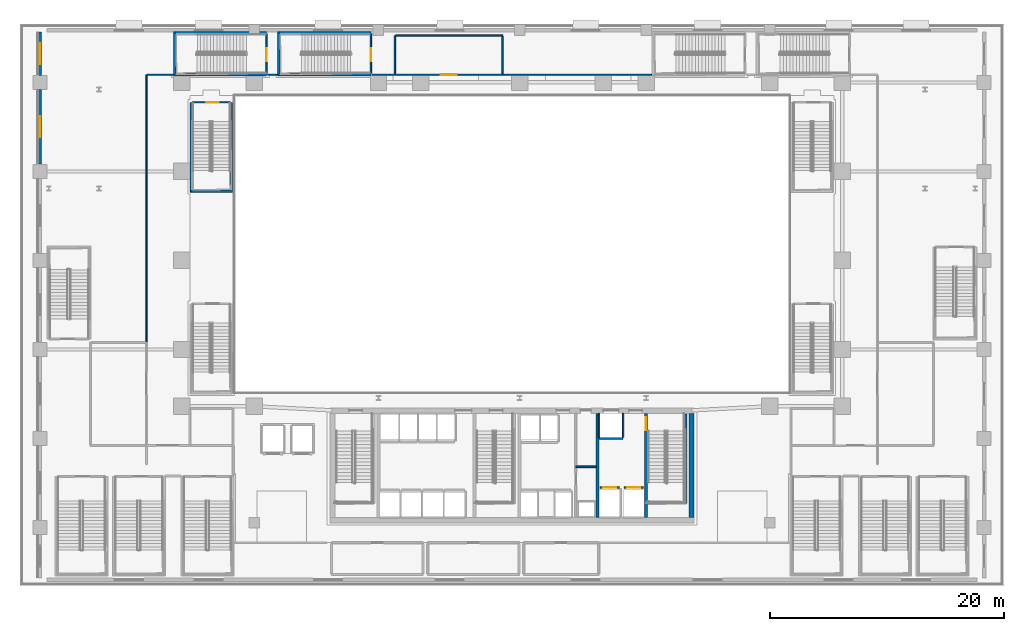
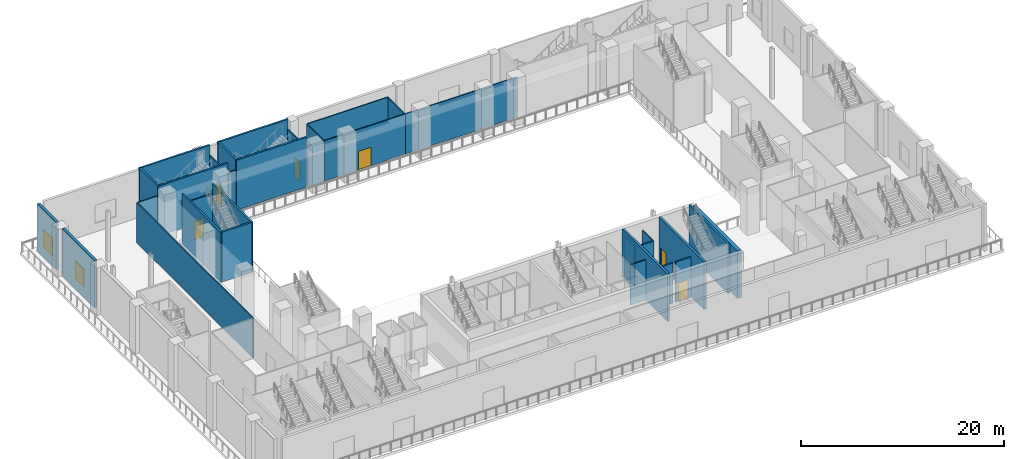
# One storey, part 10 of 29: 33 walls, 7 doors, 2 windows, 9 openings.
"""IFC4 building model written with IfcOpenShell, lengths in metres."""

from ifc_helpers import new_model, si_unit, direction, frame, frame_2d, origin, place, context, subcontext, project, spatial, rectangle, extrude, material, layer, layer_set, type_object, element, fill, save


model = new_model("IFC4")

# Units and contexts
model_context = context("Model", 3, precision=1e-05, world=origin(), true_north=direction((0.0, 1.0)))
body_context = subcontext(model_context, "Body", "Model", "MODEL_VIEW")
ifc_project = project(units=[si_unit("LENGTHUNIT", "METRE"), si_unit("AREAUNIT", "SQUARE_METRE"), si_unit("VOLUMEUNIT", "CUBIC_METRE"), si_unit("PLANEANGLEUNIT", "RADIAN"), si_unit("MASSUNIT", "GRAM", prefix="KILO")], contexts=[model_context])

# Site, building, storey
site_placement = place(None, origin())
site = spatial("IfcSite", under=ifc_project, at=site_placement, CompositionType="ELEMENT")
building_placement = place(site_placement, origin())
building = spatial("IfcBuilding", under=site, at=building_placement, Name="Ndaravel Arena Tower", CompositionType="ELEMENT")
storey_placement = place(building_placement, frame((0.0, 0.0, 12.0)))
storey = spatial("IfcBuildingStorey", under=building, at=storey_placement, Name="L02", CompositionType="ELEMENT", Elevation=12.0)

# Walls
ifc_material_1 = material(Name="Gypsum", Category="gypsum")
ifc_layer_1 = layer(ifc_material_1, 0.14990234375)
ifc_layer_set_1 = layer_set([ifc_layer_1], Name="Gypsum")
wall_type_1 = type_object("IfcWallType", Name="WALL-COMP-150", PredefinedType="PARTITIONING", material=ifc_layer_set_1)
wall_1_placement = place(storey_placement, frame((47.449951171875, 10.179931640625, 0.0), z_axis=(0.0, 0.0, 1.0), x_axis=(1.0, 0.0, 0.0)))
element("IfcWall", 1, at=wall_1_placement, inside=storey, type_object=wall_type_1, Name="L02 Core Riser Divider 1", PredefinedType="PARTITIONING", context=body_context, shape_type="SweptSolid", body=[
    extrude(rectangle(XDim=1.72998046875, YDim=0.14990234375, at=frame_2d((0.864990234375, 0.0))), origin(), (0.0, 0.0, 1.0), 4.819091796875),
])
ifc_material_2 = material(Name="Concrete C60/75", Category="concrete")
ifc_layer_2 = layer(ifc_material_2, 0.25)
ifc_layer_set_2 = layer_set([ifc_layer_2], Name="Concrete C60/75")
wall_type_2 = type_object("IfcWallType", Name="WALL-CORE-250", PredefinedType="SOLIDWALL", material=ifc_layer_set_2)
wall_2_placement = place(storey_placement, frame((49.300048828125, 5.85009765625, 0.0), z_axis=(0.0, 0.0, 1.0), x_axis=(0.0, 1.0, 0.0)))
element("IfcWall", 2, at=wall_2_placement, inside=storey, type_object=wall_type_2, Name="L02 Core Web Shear Wall 4", PredefinedType="SOLIDWALL", context=body_context, shape_type="SweptSolid", body=[
    extrude(rectangle(XDim=8.89990234375, YDim=0.25, at=frame_2d((4.449951171875, 0.0))), origin(), (0.0, 0.0, 1.0), 5.699951171875),
])

# Wall, opening, door
wall_3_placement = place(storey_placement, frame((53.449951171875, 5.85009765625, 0.0), z_axis=(0.0, 0.0, 1.0), x_axis=(0.0, 1.0, 0.0)))
wall_3 = element("IfcWall", 3, at=wall_3_placement, inside=storey, type_object=wall_type_2, Name="L02 Core Web Shear Wall 5", PredefinedType="SOLIDWALL", context=body_context, shape_type="SweptSolid", body=[
    extrude(rectangle(XDim=8.89990234375, YDim=0.25, at=frame_2d((4.449951171875, 0.0))), origin(), (0.0, 0.0, 1.0), 5.699951171875),
])
opening_1_placement = place(wall_3_placement, frame((7.449951171875, 0.0, 0.0)))
opening_1 = element("IfcOpeningElement", 4, at=opening_1_placement, cuts=wall_3, Name="Opening FD-01", PredefinedType="OPENING", context=body_context, shape_type="SweptSolid", body=[
    extrude(rectangle(XDim=1.10009765625, YDim=2.199951171875, at=frame_2d((0.550048828125, 1.10009765625))), frame((0.0, 0.125, 0.0), z_axis=(0.0, -1.0, 0.0), x_axis=(1.0, 0.0, 0.0)), (0.0, 0.0, 1.0), 0.25),
])
ifc_material_3 = material(Name="Steel S355", Category="steel")
door_type_1 = type_object("IfcDoorType", Name="DT-01-STAIR-1100", OperationType="SINGLE_SWING_LEFT", PredefinedType="DOOR", material=ifc_material_3)
door_1_placement = place(opening_1_placement, origin())
door_1 = element("IfcDoor", 5, at=door_1_placement, inside=storey, type_object=door_type_1, Name="L02 Firefighting Lobby to ST-3 Door", OperationType="SINGLE_SWING_LEFT", OverallHeight=2.199951171875, OverallWidth=1.10009765625, PredefinedType="DOOR", context=body_context, shape_type="SweptSolid", body=[
    extrude(rectangle(XDim=1.10009765625, YDim=2.199951171875, at=frame_2d((0.550048828125, 1.10009765625))), frame((0.0, 0.02490234375, 0.0), z_axis=(0.0, -1.0, 0.0), x_axis=(1.0, 0.0, 0.0)), (0.0, 0.0, 1.0), 0.050048828125),
])
fill(opening_1, door_1)

# Walls
ifc_material_4 = material(Name="Concrete C60/75", Category="concrete")
ifc_layer_3 = layer(ifc_material_4, 0.449951171875)
ifc_layer_set_3 = layer_set([ifc_layer_3], Name="Concrete C60/75")
wall_type_3 = type_object("IfcWallType", Name="WALL-CORE-450", PredefinedType="SOLIDWALL", material=ifc_layer_set_3)
wall_4_placement = place(storey_placement, frame((57.324951171875, 5.85009765625, 0.0), z_axis=(0.0, 0.0, 1.0), x_axis=(0.0, 1.0, 0.0)))
element("IfcWall", 6, at=wall_4_placement, inside=storey, type_object=wall_type_3, Name="L02 Core East Shear Wall", PredefinedType="SOLIDWALL", context=body_context, shape_type="SweptSolid", body=[
    extrude(rectangle(XDim=8.89990234375, YDim=0.449951171875, at=frame_2d((4.449951171875, 0.0))), origin(), (0.0, 0.0, 1.0), 5.699951171875),
])
ifc_material_5 = material(Name="Gypsum", Category="gypsum")
ifc_layer_4 = layer(ifc_material_5, 0.125)
ifc_layer_set_4 = layer_set([ifc_layer_4], Name="Gypsum")
wall_type_4 = type_object("IfcWallType", Name="WALL-PART-125", PredefinedType="PARTITIONING", material=ifc_layer_set_4)
wall_5_placement = place(storey_placement, frame((10.800048828125, 20.800048828125, 0.0), z_axis=(0.0, 0.0, 1.0), x_axis=(0.0, 1.0, 0.0)))
element("IfcWall", 7, at=wall_5_placement, inside=storey, type_object=wall_type_4, Name="L02 Interior Partition 014", PredefinedType="PARTITIONING", context=body_context, shape_type="SweptSolid", body=[
    extrude(rectangle(XDim=22.849853515625, YDim=0.125, at=frame_2d((11.4248046875, 0.0))), origin(), (0.0, 0.0, 1.0), 4.819091796875),
])
wall_6_placement = place(storey_placement, frame((10.864990234375, 43.64990234375, 0.0), z_axis=(0.0, 0.0, 1.0), x_axis=(1.0, 0.0, 0.0)))
element("IfcWall", 8, at=wall_6_placement, inside=storey, type_object=wall_type_4, Name="L02 Interior Partition 015", PredefinedType="PARTITIONING", context=body_context, shape_type="SweptSolid", body=[
    extrude(rectangle(XDim=2.215087890625, YDim=0.125, at=frame_2d((1.107421875, 0.0))), origin(), (0.0, 0.0, 1.0), 4.819091796875),
])
wall_7_placement = place(storey_placement, frame((21.169921875, 43.64990234375, 0.0), z_axis=(0.0, 0.0, 1.0), x_axis=(1.0, 0.0, 0.0)))
element("IfcWall", 9, at=wall_7_placement, inside=storey, type_object=wall_type_4, Name="L02 Interior Partition 016", PredefinedType="PARTITIONING", context=body_context, shape_type="SweptSolid", body=[
    extrude(rectangle(XDim=0.81005859375, YDim=0.125, at=frame_2d((0.405029296875, 0.0))), origin(), (0.0, 0.0, 1.0), 4.819091796875),
])
wall_8_placement = place(storey_placement, frame((30.070068359375, 43.64990234375, 0.0), z_axis=(0.0, 0.0, 1.0), x_axis=(1.0, 0.0, 0.0)))
element("IfcWall", 10, at=wall_8_placement, inside=storey, type_object=wall_type_4, Name="L02 Interior Partition 017", PredefinedType="PARTITIONING", context=body_context, shape_type="SweptSolid", body=[
    extrude(rectangle(XDim=1.929931640625, YDim=0.125, at=frame_2d((0.96484375, 0.0))), origin(), (0.0, 0.0, 1.0), 4.819091796875),
])

# Wall, opening, door
wall_9_placement = place(storey_placement, frame((32.0, 43.64990234375, 0.0), z_axis=(0.0, 0.0, 1.0), x_axis=(1.0, 0.0, 0.0)))
wall_9 = element("IfcWall", 11, at=wall_9_placement, inside=storey, type_object=wall_type_4, Name="L02 Interior Partition 018", PredefinedType="PARTITIONING", context=body_context, shape_type="SweptSolid", body=[
    extrude(rectangle(XDim=9.199951171875, YDim=0.125, at=frame_2d((4.60009765625, 0.0))), origin(), (0.0, 0.0, 1.0), 4.819091796875),
])
opening_2_placement = place(wall_9_placement, frame((3.89990234375, 0.0, 0.0)))
opening_2 = element("IfcOpeningElement", 12, at=opening_2_placement, cuts=wall_9, Name="Opening ID-02", PredefinedType="OPENING", context=body_context, shape_type="SweptSolid", body=[
    extrude(rectangle(XDim=1.39990234375, YDim=2.199951171875, at=frame_2d((0.699951171875, 1.10009765625))), frame((0.0, 0.0625, 0.0), z_axis=(0.0, -1.0, 0.0), x_axis=(1.0, 0.0, 0.0)), (0.0, 0.0, 1.0), 0.125),
])
ifc_material_6 = material(Name="Timber", Category="wood")
door_type_2 = type_object("IfcDoorType", Name="DT-04-SUITE-1400", OperationType="DOUBLE_DOOR_SINGLE_SWING", PredefinedType="DOOR", material=ifc_material_6)
door_2_placement = place(opening_2_placement, origin())
door_2 = element("IfcDoor", 13, at=door_2_placement, inside=storey, type_object=door_type_2, Name="L02 Ndaravel Presidential Club Lounge & Dining Door", OperationType="SINGLE_SWING_LEFT", OverallHeight=2.199951171875, OverallWidth=1.39990234375, PredefinedType="DOOR", context=body_context, shape_type="SweptSolid", body=[
    extrude(rectangle(XDim=1.39990234375, YDim=2.199951171875, at=frame_2d((0.699951171875, 1.10009765625))), frame((0.0, 0.02490234375, 0.0), z_axis=(0.0, -1.0, 0.0), x_axis=(1.0, 0.0, 0.0)), (0.0, 0.0, 1.0), 0.050048828125),
])
fill(opening_2, door_2)

# Walls
wall_10_placement = place(storey_placement, frame((41.199951171875, 43.64990234375, 0.0), z_axis=(0.0, 0.0, 1.0), x_axis=(1.0, 0.0, 0.0)))
element("IfcWall", 14, at=wall_10_placement, inside=storey, type_object=wall_type_4, Name="L02 Interior Partition 019", PredefinedType="PARTITIONING", context=body_context, shape_type="SweptSolid", body=[
    extrude(rectangle(XDim=12.72998046875, YDim=0.125, at=frame_2d((6.364990234375, 0.0))), origin(), (0.0, 0.0, 1.0), 4.819091796875),
])
wall_11_placement = place(storey_placement, frame((32.0, 43.715087890625, 0.0), z_axis=(0.0, 0.0, 1.0), x_axis=(0.0, 1.0, 0.0)))
element("IfcWall", 15, at=wall_11_placement, inside=storey, type_object=wall_type_4, Name="L02 Interior Partition 030", PredefinedType="PARTITIONING", context=body_context, shape_type="SweptSolid", body=[
    extrude(rectangle(XDim=3.284912109375, YDim=0.125, at=frame_2d((1.642578125, 0.0))), origin(), (0.0, 0.0, 1.0), 4.819091796875),
])
wall_12_placement = place(storey_placement, frame((32.06494140625, 47.0, 0.0), z_axis=(0.0, 0.0, 1.0), x_axis=(1.0, 0.0, 0.0)))
element("IfcWall", 16, at=wall_12_placement, inside=storey, type_object=wall_type_4, Name="L02 Interior Partition 031", PredefinedType="PARTITIONING", context=body_context, shape_type="SweptSolid", body=[
    extrude(rectangle(XDim=9.135009765625, YDim=0.125, at=frame_2d((4.5673828125, 0.0))), origin(), (0.0, 0.0, 1.0), 4.819091796875),
])
wall_13_placement = place(storey_placement, frame((41.199951171875, 46.93505859375, 0.0), z_axis=(0.0, 0.0, 1.0), x_axis=(0.0, -1.0, 0.0)))
element("IfcWall", 17, at=wall_13_placement, inside=storey, type_object=wall_type_4, Name="L02 Interior Partition 032", PredefinedType="PARTITIONING", context=body_context, shape_type="SweptSolid", body=[
    extrude(rectangle(XDim=3.219970703125, YDim=0.125, at=frame_2d((1.60986328125, 0.0))), origin(), (0.0, 0.0, 1.0), 4.819091796875),
])

# Wall, opening, window
ifc_material_7 = material(Name="Masonry", Category="masonry")
ifc_layer_5 = layer(ifc_material_7, 0.300048828125)
ifc_layer_set_5 = layer_set([ifc_layer_5], Name="Masonry")
wall_type_5 = type_object("IfcWallType", Name="WALL-POD-MAZERAS-300", PredefinedType="SOLIDWALL", material=ifc_layer_set_5)
wall_14_placement = place(storey_placement, frame((1.699951171875, 36.02001953125, 0.0), z_axis=(0.0, 0.0, 1.0), x_axis=(0.0, 1.0, 0.0)))
wall_14 = element("IfcWall", 18, at=wall_14_placement, inside=storey, type_object=wall_type_5, Name="L02 West Mazeras Bay 6", PredefinedType="SOLIDWALL", context=body_context, shape_type="SweptSolid", body=[
    extrude(rectangle(XDim=6.35986328125, YDim=0.300048828125, at=frame_2d((3.179931640625, 0.0))), origin(), (0.0, 0.0, 1.0), 5.699951171875),
])
opening_3_placement = place(wall_14_placement, frame((2.280029296875, 0.0, 1.0)))
opening_3 = element("IfcOpeningElement", 19, at=opening_3_placement, cuts=wall_14, Name="Opening W-PD2", PredefinedType="OPENING", context=body_context, shape_type="SweptSolid", body=[
    extrude(rectangle(XDim=1.800048828125, YDim=2.199951171875, at=frame_2d((0.89990234375, 1.10009765625))), frame((0.0, 0.14990234375, 0.0), z_axis=(0.0, -1.0, 0.0), x_axis=(1.0, 0.0, 0.0)), (0.0, 0.0, 1.0), 0.300048828125),
])
ifc_material_8 = material(Name="Glazing", Category="glass")
window_type = type_object("IfcWindowType", Name="WIN-POD-1800", PartitioningType="SINGLE_PANEL", PredefinedType="WINDOW", material=ifc_material_8)
window_1_placement = place(opening_3_placement, origin())
window_1 = element("IfcWindow", 20, at=window_1_placement, inside=storey, type_object=window_type, Name="L02 West Mazeras Window 6", OverallHeight=2.199951171875, OverallWidth=1.800048828125, PartitioningType="SINGLE_PANEL", PredefinedType="WINDOW", context=body_context, shape_type="SweptSolid", body=[
    extrude(rectangle(XDim=1.800048828125, YDim=2.199951171875, at=frame_2d((0.89990234375, 1.10009765625))), frame((0.0, 0.030029296875, 0.0), z_axis=(0.0, -1.0, 0.0), x_axis=(1.0, 0.0, 0.0)), (0.0, 0.0, 1.0), 0.06005859375),
])
fill(opening_3, window_1)

wall_15_placement = place(storey_placement, frame((1.699951171875, 43.60009765625, 0.0), z_axis=(0.0, 0.0, 1.0), x_axis=(0.0, 1.0, 0.0)))
wall_15 = element("IfcWall", 21, at=wall_15_placement, inside=storey, type_object=wall_type_5, Name="L02 West Mazeras Bay 7", PredefinedType="SOLIDWALL", context=body_context, shape_type="SweptSolid", body=[
    extrude(rectangle(XDim=3.699951171875, YDim=0.300048828125, at=frame_2d((1.85009765625, 0.0))), origin(), (0.0, 0.0, 1.0), 5.699951171875),
])
opening_4_placement = place(wall_15_placement, frame((0.949951171875, 0.0, 1.0)))
opening_4 = element("IfcOpeningElement", 22, at=opening_4_placement, cuts=wall_15, Name="Opening W-PD2", PredefinedType="OPENING", context=body_context, shape_type="SweptSolid", body=[
    extrude(rectangle(XDim=1.800048828125, YDim=2.199951171875, at=frame_2d((0.89990234375, 1.10009765625))), frame((0.0, 0.14990234375, 0.0), z_axis=(0.0, -1.0, 0.0), x_axis=(1.0, 0.0, 0.0)), (0.0, 0.0, 1.0), 0.300048828125),
])
window_2_placement = place(opening_4_placement, origin())
window_2 = element("IfcWindow", 23, at=window_2_placement, inside=storey, type_object=window_type, Name="L02 West Mazeras Window 7", OverallHeight=2.199951171875, OverallWidth=1.800048828125, PartitioningType="SINGLE_PANEL", PredefinedType="WINDOW", context=body_context, shape_type="SweptSolid", body=[
    extrude(rectangle(XDim=1.800048828125, YDim=2.199951171875, at=frame_2d((0.89990234375, 1.10009765625))), frame((0.0, 0.030029296875, 0.0), z_axis=(0.0, -1.0, 0.0), x_axis=(1.0, 0.0, 0.0)), (0.0, 0.0, 1.0), 0.06005859375),
])
fill(opening_4, window_2)

# Wall, opening, door
ifc_material_9 = material(Name="Concrete C40/50", Category="concrete")
ifc_layer_6 = layer(ifc_material_9, 0.1201171875)
ifc_layer_set_6 = layer_set([ifc_layer_6], Name="Concrete C40/50")
wall_type_6 = type_object("IfcWallType", Name="WALL-SHAFT-120", PredefinedType="SOLIDWALL", material=ifc_layer_set_6)
wall_16_placement = place(storey_placement, frame((21.050048828125, 47.135009765625, 0.0), z_axis=(0.0, 0.0, 1.0), x_axis=(0.0, -1.0, 0.0)))
wall_16 = element("IfcWall", 24, at=wall_16_placement, inside=storey, type_object=wall_type_6, Name="L02 ST-A08 Entry Wall", PredefinedType="SOLIDWALL", context=body_context, shape_type="SweptSolid", body=[
    extrude(rectangle(XDim=3.3701171875, YDim=0.1201171875, at=frame_2d((1.68505859375, 0.0))), origin(), (0.0, 0.0, 1.0), 4.819091796875),
])
opening_5_placement = place(wall_16_placement, frame((1.239990234375, 0.0, 0.0)))
opening_5 = element("IfcOpeningElement", 25, at=opening_5_placement, cuts=wall_16, Name="Opening FD-01", PredefinedType="OPENING", context=body_context, shape_type="SweptSolid", body=[
    extrude(rectangle(XDim=1.10009765625, YDim=2.199951171875, at=frame_2d((0.550048828125, 1.10009765625))), frame((0.0, 0.06005859375, 0.0), z_axis=(0.0, -1.0, 0.0), x_axis=(1.0, 0.0, 0.0)), (0.0, 0.0, 1.0), 0.1201171875),
])
door_3_placement = place(opening_5_placement, origin())
door_3 = element("IfcDoor", 26, at=door_3_placement, inside=storey, type_object=door_type_1, Name="L02 ST-A08 Fire Exit Stair Door", OperationType="SINGLE_SWING_LEFT", OverallHeight=2.199951171875, OverallWidth=1.10009765625, PredefinedType="DOOR", context=body_context, shape_type="SweptSolid", body=[
    extrude(rectangle(XDim=1.10009765625, YDim=2.199951171875, at=frame_2d((0.550048828125, 1.10009765625))), frame((0.0, 0.02490234375, 0.0), z_axis=(0.0, -1.0, 0.0), x_axis=(1.0, 0.0, 0.0)), (0.0, 0.0, 1.0), 0.050048828125),
])
fill(opening_5, door_3)

wall_17_placement = place(storey_placement, frame((29.949951171875, 47.135009765625, 0.0), z_axis=(0.0, 0.0, 1.0), x_axis=(0.0, -1.0, 0.0)))
wall_17 = element("IfcWall", 27, at=wall_17_placement, inside=storey, type_object=wall_type_6, Name="L02 ST-A09 Entry Wall", PredefinedType="SOLIDWALL", context=body_context, shape_type="SweptSolid", body=[
    extrude(rectangle(XDim=3.3701171875, YDim=0.1201171875, at=frame_2d((1.68505859375, 0.0))), origin(), (0.0, 0.0, 1.0), 4.819091796875),
])
opening_6_placement = place(wall_17_placement, frame((1.239990234375, 0.0, 0.0)))
opening_6 = element("IfcOpeningElement", 28, at=opening_6_placement, cuts=wall_17, Name="Opening FD-01", PredefinedType="OPENING", context=body_context, shape_type="SweptSolid", body=[
    extrude(rectangle(XDim=1.10009765625, YDim=2.199951171875, at=frame_2d((0.550048828125, 1.10009765625))), frame((0.0, 0.06005859375, 0.0), z_axis=(0.0, -1.0, 0.0), x_axis=(1.0, 0.0, 0.0)), (0.0, 0.0, 1.0), 0.1201171875),
])
door_4_placement = place(opening_6_placement, origin())
door_4 = element("IfcDoor", 29, at=door_4_placement, inside=storey, type_object=door_type_1, Name="L02 ST-A09 Fire Exit Stair Door", OperationType="SINGLE_SWING_LEFT", OverallHeight=2.199951171875, OverallWidth=1.10009765625, PredefinedType="DOOR", context=body_context, shape_type="SweptSolid", body=[
    extrude(rectangle(XDim=1.10009765625, YDim=2.199951171875, at=frame_2d((0.550048828125, 1.10009765625))), frame((0.0, 0.02490234375, 0.0), z_axis=(0.0, -1.0, 0.0), x_axis=(1.0, 0.0, 0.0)), (0.0, 0.0, 1.0), 0.050048828125),
])
fill(opening_6, door_4)

wall_18_placement = place(storey_placement, frame((14.705078125, 41.300048828125, 0.0), z_axis=(0.0, 0.0, 1.0), x_axis=(1.0, 0.0, 0.0)))
wall_18 = element("IfcWall", 30, at=wall_18_placement, inside=storey, type_object=wall_type_6, Name="L02 ST-VOM-2 Entry Wall", PredefinedType="SOLIDWALL", context=body_context, shape_type="SweptSolid", body=[
    extrude(rectangle(XDim=3.25, YDim=0.1201171875, at=frame_2d((1.625, 0.0))), origin(), (0.0, 0.0, 1.0), 4.819091796875),
])
opening_7_placement = place(wall_18_placement, frame((1.179931640625, 0.0, 0.0)))
opening_7 = element("IfcOpeningElement", 31, at=opening_7_placement, cuts=wall_18, Name="Opening FD-01", PredefinedType="OPENING", context=body_context, shape_type="SweptSolid", body=[
    extrude(rectangle(XDim=1.10009765625, YDim=2.199951171875, at=frame_2d((0.550048828125, 1.10009765625))), frame((0.0, 0.06005859375, 0.0), z_axis=(0.0, -1.0, 0.0), x_axis=(1.0, 0.0, 0.0)), (0.0, 0.0, 1.0), 0.1201171875),
])
door_5_placement = place(opening_7_placement, origin())
door_5 = element("IfcDoor", 32, at=door_5_placement, inside=storey, type_object=door_type_1, Name="L02 ST-VOM-2 Fire Exit Stair Door", OperationType="SINGLE_SWING_LEFT", OverallHeight=2.199951171875, OverallWidth=1.10009765625, PredefinedType="DOOR", context=body_context, shape_type="SweptSolid", body=[
    extrude(rectangle(XDim=1.10009765625, YDim=2.199951171875, at=frame_2d((0.550048828125, 1.10009765625))), frame((0.0, 0.02490234375, 0.0), z_axis=(0.0, -1.0, 0.0), x_axis=(1.0, 0.0, 0.0)), (0.0, 0.0, 1.0), 0.050048828125),
])
fill(opening_7, door_5)

# Walls
for number, where, z_axis, x_axis, name in (
    (33, (49.43994140625, 12.68994140625, 0.0), (0.0, 0.0, 1.0), (0.0, 1.0, 0.0), "L02 SVL-1 Shaft W Wall"),
    (34, (51.47998046875, 12.68994140625, 0.0), (0.0, 0.0, 1.0), (0.0, 1.0, 0.0), "L02 SVL-1 Shaft E Wall"),
):
    element("IfcWall", number, at=place(storey_placement, frame(where, z_axis=z_axis, x_axis=x_axis)), inside=storey, type_object=wall_type_6, Name=name, PredefinedType="SOLIDWALL", context=body_context, shape_type="SweptSolid", body=[
        extrude(rectangle(XDim=2.070068359375, YDim=0.1201171875, at=frame_2d((1.03515625, 0.0))), origin(), (0.0, 0.0, 1.0), 4.819091796875),
    ])
ifc_material_10 = material(Name="Concrete C40/50", Category="concrete")
ifc_layer_7 = layer(ifc_material_10, 0.199951171875)
ifc_layer_set_7 = layer_set([ifc_layer_7], Name="Concrete C40/50")
wall_type_7 = type_object("IfcWallType", Name="WALL-SHAFT-200", PredefinedType="SOLIDWALL", material=ifc_layer_set_7)
wall_19_placement = place(storey_placement, frame((56.840087890625, 14.699951171875, 0.0), z_axis=(0.0, 0.0, 1.0), x_axis=(0.0, -1.0, 0.0)))
element("IfcWall", 35, at=wall_19_placement, inside=storey, type_object=wall_type_7, Name="L02 ST-3 Structural Shaft Wall Right", PredefinedType="SOLIDWALL", context=body_context, shape_type="SweptSolid", body=[
    extrude(rectangle(XDim=7.64990234375, YDim=0.199951171875, at=frame_2d((3.824951171875, 0.0))), origin(), (0.0, 0.0, 1.0), 6.0),
])
for number, where, z_axis, x_axis, name in (
    (36, (21.050048828125, 47.239990234375, 0.0), (0.0, 0.0, 1.0), (-1.0, 0.0, 0.0), "L02 ST-A08 Shaft Wall Left"),
    (37, (21.050048828125, 43.659912109375, 0.0), (0.0, 0.0, 1.0), (-1.0, 0.0, 0.0), "L02 ST-A08 Shaft Wall Right"),
):
    element("IfcWall", number, at=place(storey_placement, frame(where, z_axis=z_axis, x_axis=x_axis)), inside=storey, type_object=wall_type_7, Name=name, PredefinedType="SOLIDWALL", context=body_context, shape_type="SweptSolid", body=[
        extrude(rectangle(XDim=7.949951171875, YDim=0.199951171875, at=frame_2d((3.97509765625, 0.0))), origin(), (0.0, 0.0, 1.0), 6.0),
    ])
wall_20_placement = place(storey_placement, frame((13.199951171875, 47.22998046875, 0.0), z_axis=(0.0, 0.0, 1.0), x_axis=(0.0, -1.0, 0.0)))
element("IfcWall", 38, at=wall_20_placement, inside=storey, type_object=wall_type_7, Name="L02 ST-A08 Shaft Wall Far", PredefinedType="SOLIDWALL", context=body_context, shape_type="SweptSolid", body=[
    extrude(rectangle(XDim=3.56005859375, YDim=0.199951171875, at=frame_2d((1.780029296875, 0.0))), origin(), (0.0, 0.0, 1.0), 6.0),
])
for number, where, z_axis, x_axis, name in (
    (39, (29.949951171875, 47.239990234375, 0.0), (0.0, 0.0, 1.0), (-1.0, 0.0, 0.0), "L02 ST-A09 Shaft Wall Left"),
    (40, (29.949951171875, 43.659912109375, 0.0), (0.0, 0.0, 1.0), (-1.0, 0.0, 0.0), "L02 ST-A09 Shaft Wall Right"),
):
    element("IfcWall", number, at=place(storey_placement, frame(where, z_axis=z_axis, x_axis=x_axis)), inside=storey, type_object=wall_type_7, Name=name, PredefinedType="SOLIDWALL", context=body_context, shape_type="SweptSolid", body=[
        extrude(rectangle(XDim=7.949951171875, YDim=0.199951171875, at=frame_2d((3.97509765625, 0.0))), origin(), (0.0, 0.0, 1.0), 6.0),
    ])
wall_21_placement = place(storey_placement, frame((22.10009765625, 47.22998046875, 0.0), z_axis=(0.0, 0.0, 1.0), x_axis=(0.0, -1.0, 0.0)))
element("IfcWall", 41, at=wall_21_placement, inside=storey, type_object=wall_type_7, Name="L02 ST-A09 Shaft Wall Far", PredefinedType="SOLIDWALL", context=body_context, shape_type="SweptSolid", body=[
    extrude(rectangle(XDim=3.56005859375, YDim=0.199951171875, at=frame_2d((1.780029296875, 0.0))), origin(), (0.0, 0.0, 1.0), 6.0),
])
for number, where, z_axis, x_axis, name in (
    (42, (14.60009765625, 41.300048828125, 0.0), (0.0, 0.0, 1.0), (0.0, -1.0, 0.0), "L02 ST-VOM-2 Shaft Wall Left"),
    (43, (18.06005859375, 41.300048828125, 0.0), (0.0, 0.0, 1.0), (0.0, -1.0, 0.0), "L02 ST-VOM-2 Shaft Wall Right"),
):
    element("IfcWall", number, at=place(storey_placement, frame(where, z_axis=z_axis, x_axis=x_axis)), inside=storey, type_object=wall_type_7, Name=name, PredefinedType="SOLIDWALL", context=body_context, shape_type="SweptSolid", body=[
        extrude(rectangle(XDim=7.699951171875, YDim=0.199951171875, at=frame_2d((3.85009765625, 0.0))), origin(), (0.0, 0.0, 1.0), 6.0),
    ])
wall_22_placement = place(storey_placement, frame((14.610107421875, 33.699951171875, 0.0), z_axis=(0.0, 0.0, 1.0), x_axis=(1.0, 0.0, 0.0)))
element("IfcWall", 44, at=wall_22_placement, inside=storey, type_object=wall_type_7, Name="L02 ST-VOM-2 Shaft Wall Far", PredefinedType="SOLIDWALL", context=body_context, shape_type="SweptSolid", body=[
    extrude(rectangle(XDim=3.43994140625, YDim=0.199951171875, at=frame_2d((1.719970703125, 0.0))), origin(), (0.0, 0.0, 1.0), 6.0),
])

# Wall, opening, door
wall_23_placement = place(storey_placement, frame((49.5048828125, 8.39990234375, 0.0), z_axis=(0.0, 0.0, 1.0), x_axis=(1.0, 0.0, 0.0)))
wall_23 = element("IfcWall", 45, at=wall_23_placement, inside=storey, type_object=wall_type_7, Name="L02 FFL-1 Shaft Landing Wall", PredefinedType="SOLIDWALL", context=body_context, shape_type="SweptSolid", body=[
    extrude(rectangle(XDim=1.690185546875, YDim=0.179931640625, at=frame_2d((0.84521484375, 0.0))), origin(), (0.0, 0.0, 1.0), 4.819091796875),
])
opening_8_placement = place(wall_23_placement, frame((0.294921875, 0.0, 0.0)))
opening_8 = element("IfcOpeningElement", 46, at=opening_8_placement, cuts=wall_23, Name="Opening LD-01", PredefinedType="OPENING", context=body_context, shape_type="SweptSolid", body=[
    extrude(rectangle(XDim=1.10009765625, YDim=2.199951171875, at=frame_2d((0.550048828125, 1.10009765625))), frame((0.0, 0.08984375, 0.0), z_axis=(0.0, -1.0, 0.0), x_axis=(1.0, 0.0, 0.0)), (0.0, 0.0, 1.0), 0.179931640625),
])
ifc_material_11 = material(Name="Steel S355", Category="steel")
door_type_3 = type_object("IfcDoorType", Name="DT-06-LIFT-1100", OperationType="SLIDING_TO_LEFT", PredefinedType="DOOR", material=ifc_material_11)
door_6_placement = place(opening_8_placement, origin())
door_6 = element("IfcDoor", 47, at=door_6_placement, inside=storey, type_object=door_type_3, Name="L02 Lift FFL-1 Sliding Landing Door", OperationType="SLIDING_TO_LEFT", OverallHeight=2.199951171875, OverallWidth=1.10009765625, PredefinedType="DOOR", context=body_context, shape_type="SweptSolid", body=[
    extrude(rectangle(XDim=1.10009765625, YDim=2.199951171875, at=frame_2d((0.550048828125, 1.10009765625))), frame((0.0, 0.02490234375, 0.0), z_axis=(0.0, -1.0, 0.0), x_axis=(1.0, 0.0, 0.0)), (0.0, 0.0, 1.0), 0.050048828125),
])
fill(opening_8, door_6)

wall_24_placement = place(storey_placement, frame((51.554931640625, 8.39990234375, 0.0), z_axis=(0.0, 0.0, 1.0), x_axis=(1.0, 0.0, 0.0)))
wall_24 = element("IfcWall", 48, at=wall_24_placement, inside=storey, type_object=wall_type_7, Name="L02 FFL-2 Shaft Landing Wall", PredefinedType="SOLIDWALL", context=body_context, shape_type="SweptSolid", body=[
    extrude(rectangle(XDim=1.690185546875, YDim=0.179931640625, at=frame_2d((0.84521484375, 0.0))), origin(), (0.0, 0.0, 1.0), 4.819091796875),
])
opening_9_placement = place(wall_24_placement, frame((0.294921875, 0.0, 0.0)))
opening_9 = element("IfcOpeningElement", 49, at=opening_9_placement, cuts=wall_24, Name="Opening LD-01", PredefinedType="OPENING", context=body_context, shape_type="SweptSolid", body=[
    extrude(rectangle(XDim=1.10009765625, YDim=2.199951171875, at=frame_2d((0.550048828125, 1.10009765625))), frame((0.0, 0.08984375, 0.0), z_axis=(0.0, -1.0, 0.0), x_axis=(1.0, 0.0, 0.0)), (0.0, 0.0, 1.0), 0.179931640625),
])
door_7_placement = place(opening_9_placement, origin())
door_7 = element("IfcDoor", 50, at=door_7_placement, inside=storey, type_object=door_type_3, Name="L02 Lift FFL-2 Sliding Landing Door", OperationType="SLIDING_TO_LEFT", OverallHeight=2.199951171875, OverallWidth=1.10009765625, PredefinedType="DOOR", context=body_context, shape_type="SweptSolid", body=[
    extrude(rectangle(XDim=1.10009765625, YDim=2.199951171875, at=frame_2d((0.550048828125, 1.10009765625))), frame((0.0, 0.02490234375, 0.0), z_axis=(0.0, -1.0, 0.0), x_axis=(1.0, 0.0, 0.0)), (0.0, 0.0, 1.0), 0.050048828125),
])
fill(opening_9, door_7)

# Wall
wall_25_placement = place(storey_placement, frame((49.43994140625, 12.594970703125, 0.0), z_axis=(0.0, 0.0, 1.0), x_axis=(1.0, 0.0, 0.0)))
element("IfcWall", 51, at=wall_25_placement, inside=storey, type_object=wall_type_7, Name="L02 SVL-1 Shaft South Wall", PredefinedType="SOLIDWALL", context=body_context, shape_type="SweptSolid", body=[
    extrude(rectangle(XDim=2.0400390625, YDim=0.179931640625, at=frame_2d((1.02001953125, 0.0))), origin(), (0.0, 0.0, 1.0), 4.819091796875),
])

save(model, "model.ifc")
